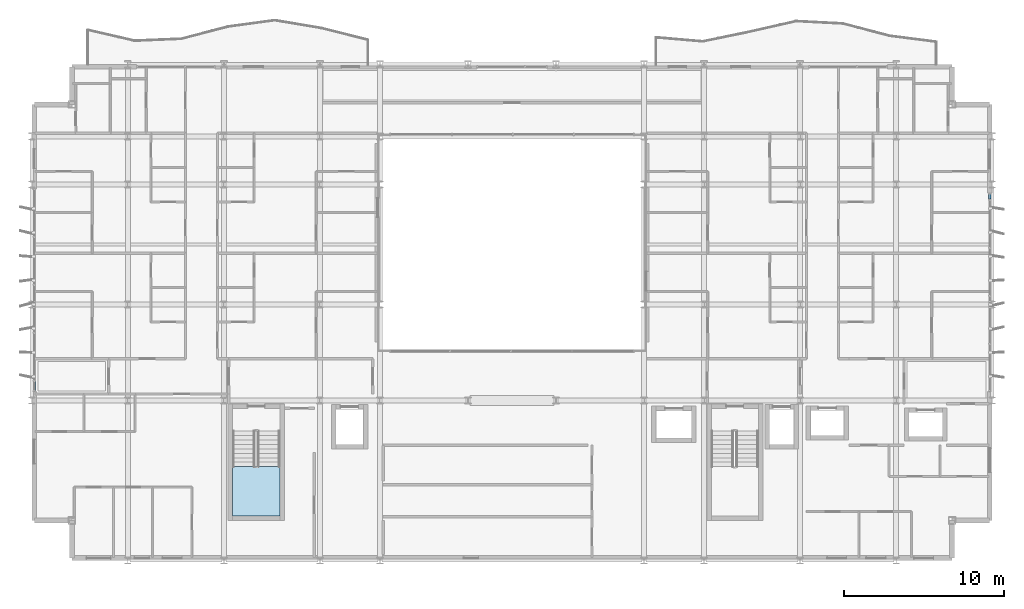
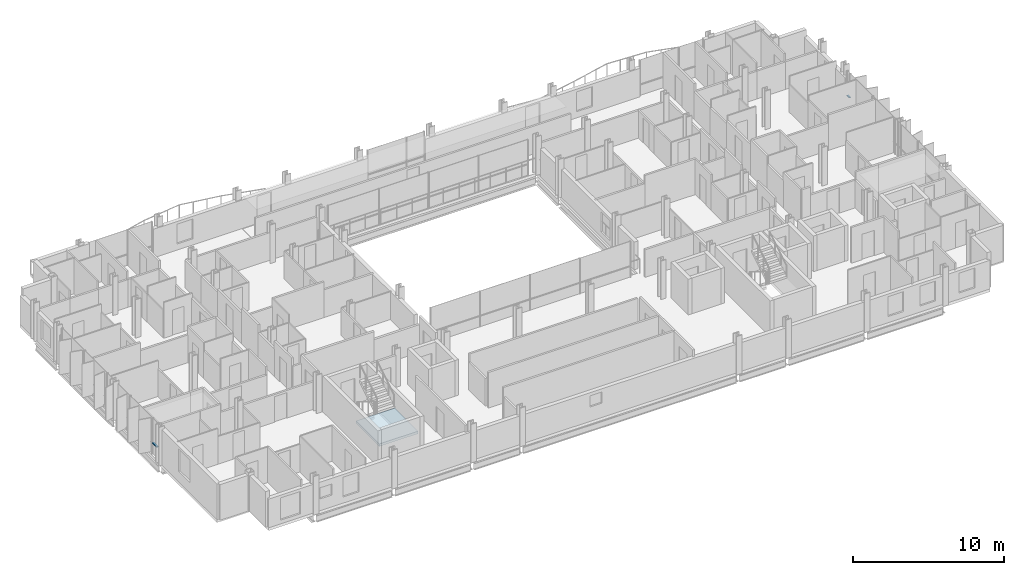
# One storey, part 21 of 39: 2 members, 1 slab, 3 elements without a shape of their own.
"""IFC4 building model written with IfcOpenShell, lengths in metres."""

from ifc_helpers import new_model, si_unit, direction, frame, origin, origin_2d, place, context, subcontext, project, spatial, polyline, hollow_rectangle, outline, extrude, material, layer, layer_set, material_profile, profile_set, type_object, element, aggregate, save


model = new_model("IFC4")

# Units and contexts
model_context = context("Model", 3, precision=1e-05, world=origin(), true_north=direction((0.0, 1.0)))
body_context = subcontext(model_context, "Body", "Model", "MODEL_VIEW")
ifc_project = project(units=[si_unit("LENGTHUNIT", "METRE"), si_unit("AREAUNIT", "SQUARE_METRE"), si_unit("VOLUMEUNIT", "CUBIC_METRE"), si_unit("PLANEANGLEUNIT", "RADIAN"), si_unit("MASSUNIT", "GRAM", prefix="KILO")], contexts=[model_context])

# Site, building, storey
site_placement = place(None, origin())
site = spatial("IfcSite", under=ifc_project, at=site_placement, CompositionType="ELEMENT")
building_placement = place(site_placement, origin())
building = spatial("IfcBuilding", under=site, at=building_placement, Name="Brevholm Reach", CompositionType="ELEMENT")
storey_placement = place(building_placement, frame((0.0, 0.0, 83.800048828125)))
storey = spatial("IfcBuildingStorey", under=building, at=storey_placement, Name="L24", CompositionType="ELEMENT", Elevation=83.800048828125)

# Curtain wall, member
ifc_material_1 = material(Name="Dark Anodised Aluminium 6063-T6 and Solar-Control Glass", Category="aluminium")
ifc_layer_1 = layer(ifc_material_1, 0.14990234375)
ifc_layer_set_1 = layer_set([ifc_layer_1], Name="Dark Anodised Aluminium 6063-T6 and Solar-Control Glass")
curtain_wall_type = type_object("IfcCurtainWallType", Name="CW-01", PredefinedType="NOTDEFINED", material=ifc_layer_set_1)
curtain_wall_1_placement = place(storey_placement, origin())
curtain_wall_1 = element("IfcCurtainWall", 1, at=curtain_wall_1_placement, inside=storey, type_object=curtain_wall_type, Name="L24 Curtain Wall CW-01", PredefinedType="NOTDEFINED")
ifc_material_2 = material(Name="Dark Anodised Aluminium 6063-T6", Category="aluminium")
ifc_material_profile = material_profile(ifc_material_2, hollow_rectangle(XDim=0.06494140625, YDim=0.14990234375, WallThickness=0.0048828125, InnerFilletRadius=0.0048828125, OuterFilletRadius=0.010009765625, at=origin_2d()), Name="RHS 150x65x5")
ifc_profile_set = profile_set([ifc_material_profile], Name="Dark Anodised Aluminium 6063-T6")
member_type = type_object("IfcMemberType", Name="CWT-150", PredefinedType="NOTDEFINED", material=ifc_profile_set)
member_1_placement = place(storey_placement, frame((0.14990234375, 11.1875, 0.89990234375), z_axis=(0.0, -1.0, 0.0), x_axis=(0.0, 0.0, 1.0)))
member_1 = element("IfcMember", 2, at=member_1_placement, type_object=member_type, Name="CT-150 Transom 5.1", ObjectType="TRANSOM", PredefinedType="USERDEFINED", context=body_context, shape_type="SweptSolid", body=[
    extrude(hollow_rectangle(XDim=0.06494140625, YDim=0.14990234375, WallThickness=0.0048828125, InnerFilletRadius=0.0048828125, OuterFilletRadius=0.010009765625, at=origin_2d()), origin(), (0.0, 0.0, 1.0), 0.572509765625),
])
aggregate(curtain_wall_1, [member_1])

curtain_wall_2_placement = place(storey_placement, origin())
curtain_wall_2 = element("IfcCurtainWall", 3, at=curtain_wall_2_placement, inside=storey, type_object=curtain_wall_type, Name="L24 Curtain Wall CW-01", PredefinedType="NOTDEFINED")
member_2_placement = place(storey_placement, frame((59.85009765625, 22.58251953125, 0.89990234375), z_axis=(0.0, 1.0, 0.0), x_axis=(0.0, 0.0, 1.0)))
member_2 = element("IfcMember", 4, at=member_2_placement, type_object=member_type, Name="CT-150 Transom 5.1", ObjectType="TRANSOM", PredefinedType="USERDEFINED", context=body_context, shape_type="SweptSolid", body=[
    extrude(hollow_rectangle(XDim=0.06494140625, YDim=0.14990234375, WallThickness=0.0048828125, InnerFilletRadius=0.0048828125, OuterFilletRadius=0.010009765625, at=origin_2d()), origin(), (0.0, 0.0, 1.0), 0.302490234375),
])
aggregate(curtain_wall_2, [member_2])

# Stair, slab
ifc_material_3 = material(Name="Precast Concrete C40/50", Category="concrete")
stair_type = type_object("IfcStairType", Name="STR-ESC-1400", PredefinedType="DOUBLE_RETURN_STAIR", material=ifc_material_3)
stair_placement = place(storey_placement, origin())
stair = element("IfcStair", 5, at=stair_placement, inside=storey, type_object=stair_type, Name="L24 ST-1", PredefinedType="DOUBLE_RETURN_STAIR")
ifc_material_4 = material(Name="Concrete C40/50", Category="concrete")
ifc_layer_2 = layer(ifc_material_4, 0.199951171875)
ifc_layer_set_2 = layer_set([ifc_layer_2], Name="Concrete C40/50")
slab_type = type_object("IfcSlabType", Name="SLB-LND-200", PredefinedType="LANDING", material=ifc_layer_set_2)
slab_placement = place(storey_placement, frame((0.0, 0.0, 1.349853515625)))
slab = element("IfcSlab", 6, at=slab_placement, type_object=slab_type, Name="ST-1 landing 1", PredefinedType="LANDING", context=body_context, shape_type="SweptSolid", body=[
    extrude(outline(polyline([(12.550048828125, 5.860107421875), (12.550048828125, 2.780029296875), (15.5, 2.780029296875), (15.5, 5.860107421875), (12.550048828125, 5.860107421875)])), origin(), (0.0, 0.0, 1.0), 0.2001953125),
])
aggregate(stair, [slab])

save(model, "model.ifc")
